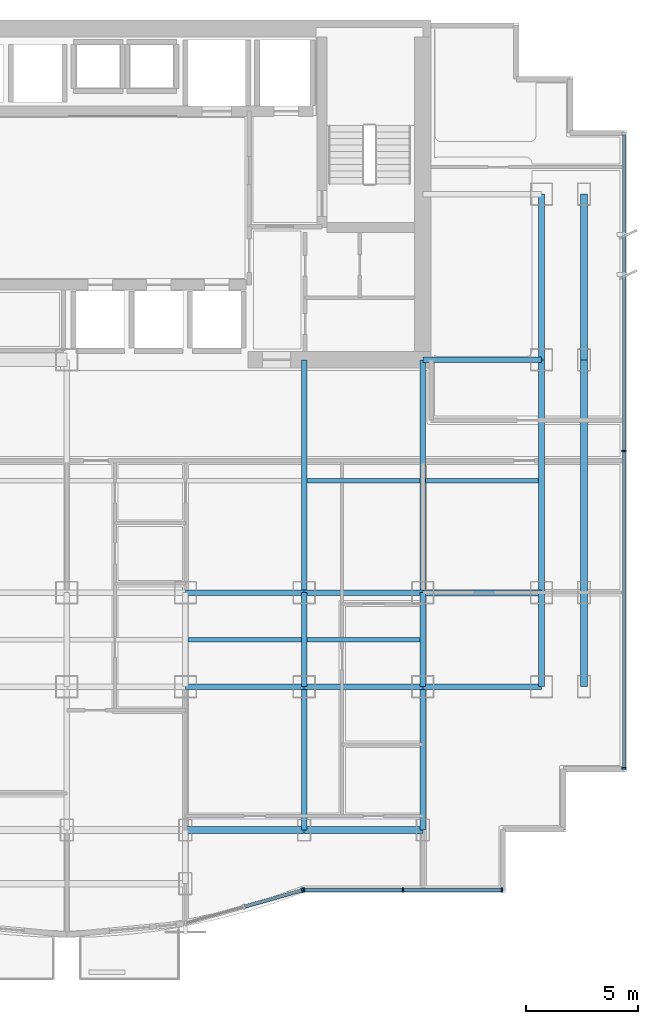
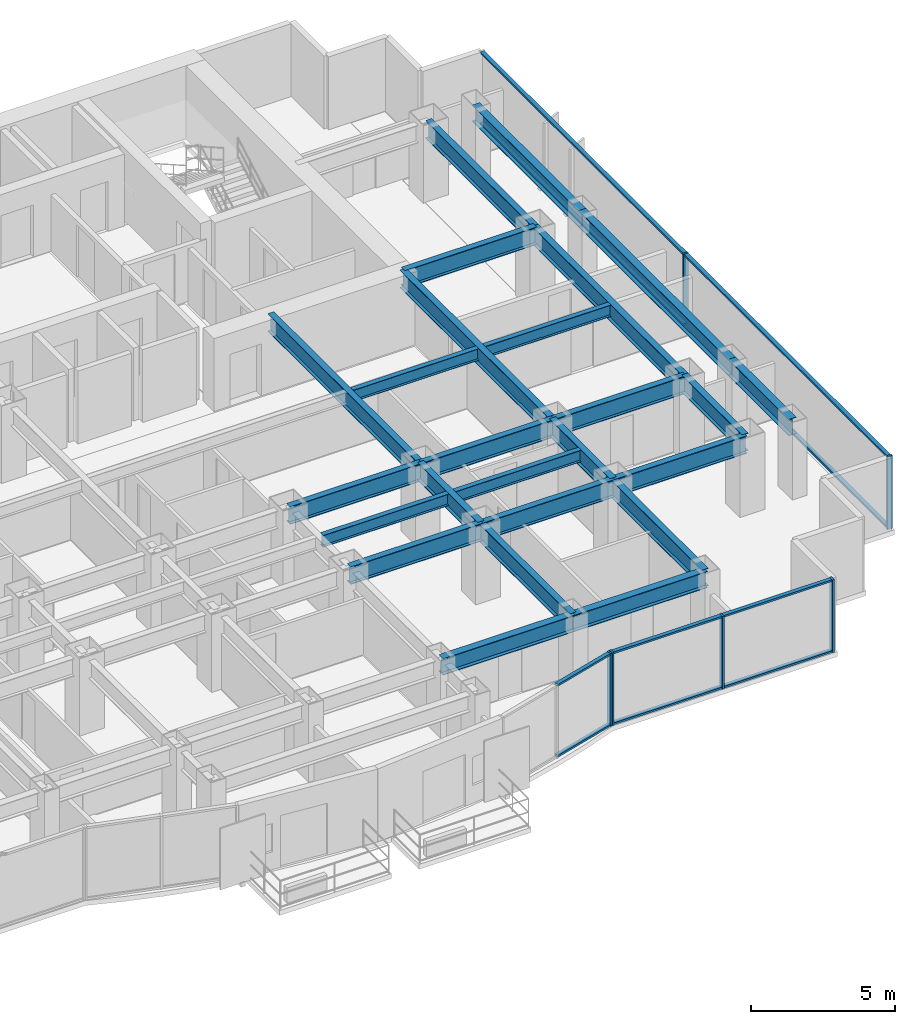
# One storey, part 3 of 12: 25 beams, 16 members, 3 elements without a shape of their own.
"""IFC4 building model written with IfcOpenShell, lengths in metres."""

import ifcopenshell
import ifcopenshell.guid

model = None  # the IFC model being written
_history = None  # IfcOwnerHistory: only IFC2X3 demands one
_inside = {}  # id of a spatial element -> (the spatial element, [elements in it])
_under = {}  # id of a project, library or spatial element -> (it, [spatial elements below it])
_declared = {}  # id of a project -> (the project, [libraries it declares])
_typed = {}  # id of a type object -> (the type object, [elements of that type])
_made_of = {}  # id of a material, layer set ... -> (it, [elements and type objects made of it])


def new_model(schema):
    """Start an empty IFC model of exactly this schema.

    Asked for "IFC4X3", IfcOpenShell would pick the latest addendum, in which some entities
    have other attributes; the version numbers below select the first issue.
    IFC2X3 requires an IfcOwnerHistory on every rooted entity: one is made here for all.
    """
    global model, _history
    if schema == "IFC4X3":
        model = ifcopenshell.file(schema_version=(4, 3, 0, 0))
    else:
        model = ifcopenshell.file(schema=schema)
    _inside.clear()
    _under.clear()
    _declared.clear()
    _typed.clear()
    _made_of.clear()
    _history = None
    if model.schema == "IFC2X3":
        org = make("IfcOrganization", Name="unknown")
        user = make(
            "IfcPersonAndOrganization",
            ThePerson=make("IfcPerson", FamilyName="unknown"),
            TheOrganization=org,
        )
        app = make(
            "IfcApplication",
            ApplicationDeveloper=org,
            Version="unknown",
            ApplicationFullName="unknown",
            ApplicationIdentifier="unknown",
        )
        _history = make(
            "IfcOwnerHistory",
            OwningUser=user,
            OwningApplication=app,
            ChangeAction="ADDED",
            CreationDate=0,
        )
    return model


def make(cls, **values):
    """One entity of the class cls with the attributes given. An attribute that is None is left unset."""
    return model.create_entity(
        cls, **{name: value for name, value in values.items() if value is not None}
    )


def rooted(cls, **values):
    """An entity with a GlobalId (a new one), such as an element, a storey or a relation."""
    return make(cls, GlobalId=ifcopenshell.guid.new(), OwnerHistory=_history, **values)


def si_unit(unit_type, name, prefix=None):
    """IfcSIUnit, for example si_unit("LENGTHUNIT", "METRE", prefix="MILLI")."""
    return make("IfcSIUnit", UnitType=unit_type, Prefix=prefix, Name=name)


def assignment(units):
    """IfcUnitAssignment: the units of a project."""
    return None if units is None else make("IfcUnitAssignment", Units=units)


def point(xyz):
    """IfcCartesianPoint."""
    return None if xyz is None else make("IfcCartesianPoint", Coordinates=xyz)


def direction(xyz):
    """IfcDirection."""
    return None if xyz is None else make("IfcDirection", DirectionRatios=xyz)


def frame(location, z_axis=None, x_axis=None):
    """IfcAxis2Placement3D, a coordinate frame: its origin and axes. An axis left out is left unset."""
    return make(
        "IfcAxis2Placement3D",
        Location=point(location),
        Axis=direction(z_axis),
        RefDirection=direction(x_axis),
    )


def frame_2d(location, x_axis=None):
    """IfcAxis2Placement2D, a coordinate frame in the plane: its origin and x axis."""
    return make(
        "IfcAxis2Placement2D", Location=point(location), RefDirection=direction(x_axis)
    )


def origin():
    """The frame at (0, 0, 0) with its axes left unset."""
    return frame((0.0, 0.0, 0.0))


def origin_2d():
    """The frame at (0, 0) in the plane with its x axis left unset."""
    return frame_2d((0.0, 0.0))


def place(relative_to, where):
    """IfcLocalPlacement: puts the frame where relative to a parent placement (None: the world)."""
    return make(
        "IfcLocalPlacement", PlacementRelTo=relative_to, RelativePlacement=where
    )


def context(
    kind, dimensions, precision=None, world=None, true_north=None, identifier=None
):
    """IfcGeometricRepresentationContext, for example the 3D "Model" context."""
    return make(
        "IfcGeometricRepresentationContext",
        ContextIdentifier=identifier,
        ContextType=kind,
        CoordinateSpaceDimension=dimensions,
        Precision=precision,
        WorldCoordinateSystem=world,
        TrueNorth=true_north,
    )


def subcontext(parent, identifier, kind, view, scale=None):
    """IfcGeometricRepresentationSubContext, for example "Body" below "Model"."""
    return make(
        "IfcGeometricRepresentationSubContext",
        ContextIdentifier=identifier,
        ContextType=kind,
        ParentContext=parent,
        TargetScale=scale,
        TargetView=view,
    )


def project(units=None, contexts=None):
    """IfcProject with its units and contexts."""
    return rooted(
        "IfcProject",
        Name="project",
        RepresentationContexts=contexts,
        UnitsInContext=assignment(units),
    )


def spatial(cls, under=None, at=None, **own):
    """A site, building, storey or space (cls), placed at a placement, below another one or the project."""
    s = rooted(cls, ObjectPlacement=at, **own)
    if under is not None:
        _under.setdefault(under.id(), (under, []))[1].append(s)
    return s


def profile(cls, at=None, kind="AREA", **sizes):
    """A parametric profile (cls). Its sizes go by their IFC names, for example OverallWidth=200.0."""
    return make(cls, ProfileType=kind, Position=at, **sizes)


def rectangle(**sizes):
    """IfcRectangleProfileDef."""
    return profile("IfcRectangleProfileDef", **sizes)


def i_section(**sizes):
    """IfcIShapeProfileDef."""
    return profile("IfcIShapeProfileDef", **sizes)


def extrude(swept, where, along, depth):
    """IfcExtrudedAreaSolid: the profile swept, set in the frame where, extruded along a direction by depth."""
    return make(
        "IfcExtrudedAreaSolid",
        SweptArea=swept,
        Position=where,
        ExtrudedDirection=direction(along),
        Depth=depth,
    )


def shape(context_of_items, identifier, shape_type, items):
    """IfcShapeRepresentation: the items that make up one representation, for example the "Body"."""
    return make(
        "IfcShapeRepresentation",
        ContextOfItems=context_of_items,
        RepresentationIdentifier=identifier,
        RepresentationType=shape_type,
        Items=items,
    )


def source(mapping_origin, context_of_items, identifier, shape_type, items):
    """IfcRepresentationMap: a shape defined once, which mapped items show again and again."""
    return make(
        "IfcRepresentationMap",
        MappingOrigin=mapping_origin,
        MappedRepresentation=shape(context_of_items, identifier, shape_type, items),
    )


def transform(
    local_origin,
    x_axis=None,
    y_axis=None,
    z_axis=None,
    scale=None,
    scale2=None,
    scale3=None,
    uniform=True,
):
    """IfcCartesianTransformationOperator3D, or its non-uniform kind. x_axis, y_axis, z_axis: its Axis1, 2, 3."""
    if uniform:
        return make(
            "IfcCartesianTransformationOperator3D",
            Axis1=direction(x_axis),
            Axis2=direction(y_axis),
            LocalOrigin=point(local_origin),
            Scale=scale,
            Axis3=direction(z_axis),
        )
    return make(
        "IfcCartesianTransformationOperator3DnonUniform",
        Axis1=direction(x_axis),
        Axis2=direction(y_axis),
        LocalOrigin=point(local_origin),
        Scale=scale,
        Axis3=direction(z_axis),
        Scale2=scale2,
        Scale3=scale3,
    )


def mapped(mapping_source, mapping_target):
    """IfcMappedItem: shows the shape of a source again, moved by a transform."""
    return make(
        "IfcMappedItem", MappingSource=mapping_source, MappingTarget=mapping_target
    )


def material(Name=None, Category=None):
    """IfcMaterial."""
    return make("IfcMaterial", Name=Name, Category=Category)


def layer(
    of_material, thickness, ventilated=None, Name=None, Category=None, Priority=None
):
    """IfcMaterialLayer: one layer of a wall or slab, of a material (None: an air gap)."""
    return make(
        "IfcMaterialLayer",
        Material=of_material,
        LayerThickness=thickness,
        IsVentilated=ventilated,
        Name=Name,
        Category=Category,
        Priority=Priority,
    )


def layer_set(layers, Name=None):
    """IfcMaterialLayerSet."""
    return make("IfcMaterialLayerSet", MaterialLayers=layers, LayerSetName=Name)


def material_profile(
    of_material, cross_section, Name=None, Category=None, Priority=None
):
    """IfcMaterialProfile: a cross section and its material."""
    return make(
        "IfcMaterialProfile",
        Name=Name,
        Material=of_material,
        Profile=cross_section,
        Priority=Priority,
        Category=Category,
    )


def profile_set(profiles, Name=None, composite=None):
    """IfcMaterialProfileSet."""
    return make(
        "IfcMaterialProfileSet",
        Name=Name,
        MaterialProfiles=profiles,
        CompositeProfile=composite,
    )


def made_of(thing, what):
    """Note that an element or type object is made of a material, layer set ...; save() writes the relation."""
    if what is not None:
        _made_of.setdefault(what.id(), (what, []))[1].append(thing)
    return thing


def type_object(cls, material=None, **own):
    """A type object (cls), such as IfcWallType, which elements share."""
    return made_of(rooted(cls, **own), material)


def element(
    cls,
    number,
    at=None,
    inside=None,
    cuts=None,
    type_object=None,
    material=None,
    context=None,
    identifier="Body",
    shape_type=None,
    held_by="IfcProductDefinitionShape",
    body=None,
    shapes=None,
    **own,
):
    """One element of the class cls, such as IfcWall. Its Tag is "e" and its number.

    at: its placement. inside: the storey or other place that contains it. cuts: it is an
    opening in that element (IfcRelVoidsElement). A single representation is given by context,
    identifier, shape_type and body (its items); several are given by shapes. held_by: the class
    of the entity that holds the representations. save() writes the other relations.
    """
    e = rooted(cls, Tag="e%d" % number, ObjectPlacement=at, **own)
    if body is not None:
        shapes = [shape(context, identifier, shape_type, body)]
    if shapes is not None:
        e.Representation = make(held_by, Representations=shapes)
    if inside is not None:
        _inside.setdefault(inside.id(), (inside, []))[1].append(e)
    if cuts is not None:
        rooted(
            "IfcRelVoidsElement", RelatingBuildingElement=cuts, RelatedOpeningElement=e
        )
    if type_object is not None:
        _typed.setdefault(type_object.id(), (type_object, []))[1].append(e)
    return made_of(e, material)


def aggregate(whole, parts):
    """IfcRelAggregates: a whole, such as a stair, and the parts it consists of."""
    return rooted("IfcRelAggregates", RelatingObject=whole, RelatedObjects=parts)


def save(model, path):
    """Write the relations noted so far, then the file.

    IfcRelAggregates (storeys below a building ...), IfcRelContainedInSpatialStructure (elements
    in a storey), IfcRelDefinesByType, IfcRelAssociatesMaterial and IfcRelDeclares: one each for
    every whole, place, type object, material and project.
    """
    for whole, parts in _under.values():
        aggregate(whole, parts)
    for where, things in _inside.values():
        rooted(
            "IfcRelContainedInSpatialStructure",
            RelatedElements=things,
            RelatingStructure=where,
        )
    for kind, things in _typed.values():
        rooted("IfcRelDefinesByType", RelatedObjects=things, RelatingType=kind)
    for what, things in _made_of.values():
        rooted("IfcRelAssociatesMaterial", RelatedObjects=things, RelatingMaterial=what)
    for by, libraries in _declared.values():
        rooted("IfcRelDeclares", RelatingContext=by, RelatedDefinitions=libraries)
    model.write(path)


model = new_model("IFC4")

# Units and contexts
model_context = context("Model", 3, precision=1e-05, world=origin(), true_north=direction((0.0, 1.0)))
body_context = subcontext(model_context, "Body", "Model", "MODEL_VIEW")
ifc_project = project(units=[si_unit("LENGTHUNIT", "METRE"), si_unit("AREAUNIT", "SQUARE_METRE"), si_unit("VOLUMEUNIT", "CUBIC_METRE"), si_unit("PLANEANGLEUNIT", "RADIAN"), si_unit("MASSUNIT", "GRAM", prefix="KILO")], contexts=[model_context])

# Site, building, storey
site_placement = place(None, origin())
site = spatial("IfcSite", under=ifc_project, at=site_placement, CompositionType="ELEMENT")
building_placement = place(site_placement, origin())
building = spatial("IfcBuilding", under=site, at=building_placement, Name="Qianlan Lanfeng Residences", CompositionType="ELEMENT")
storey_placement = place(building_placement, frame((0.0, 0.0, 85.0)))
storey = spatial("IfcBuildingStorey", under=building, at=storey_placement, Name="L22", CompositionType="ELEMENT", Elevation=85.0)

# Beams
ifc_material_1 = material(Name="Steel SN490B", Category="steel")
ifc_material_profile_1 = material_profile(ifc_material_1, i_section(OverallWidth=0.25, OverallDepth=0.75, WebThickness=0.013916015625, FlangeThickness=0.02490234375, at=origin_2d()), Name="H 750x250x14x25")
ifc_profile_set_1 = profile_set([ifc_material_profile_1], Name="Steel SN490B")
beam_type_1 = type_object("IfcBeamType", Name="G-850", PredefinedType="BEAM", material=ifc_profile_set_1)
beam_1_placement = place(storey_placement, frame((31.800048828125, 10.60009765625, 2.715087890625), z_axis=(1.0, 0.0, 0.0), x_axis=(0.0, 1.0, 0.0)))
element("IfcBeam", 1, at=beam_1_placement, inside=storey, type_object=beam_type_1, Name="Structural beam G-850", PredefinedType="BEAM", context=body_context, shape_type="SweptSolid", body=[
    extrude(i_section(OverallWidth=0.25, OverallDepth=0.75, WebThickness=0.013916015625, FlangeThickness=0.02490234375, at=origin_2d()), origin(), (0.0, 0.0, 1.0), 5.300048828125),
])
beam_2_placement = place(storey_placement, frame((37.10009765625, 10.60009765625, 2.715087890625), z_axis=(1.0, 0.0, 0.0), x_axis=(0.0, 1.0, 0.0)))
element("IfcBeam", 2, at=beam_2_placement, inside=storey, type_object=beam_type_1, Name="Structural beam G-850", PredefinedType="BEAM", context=body_context, shape_type="SweptSolid", body=[
    extrude(i_section(OverallWidth=0.25, OverallDepth=0.75, WebThickness=0.013916015625, FlangeThickness=0.02490234375, at=origin_2d()), origin(), (0.0, 0.0, 1.0), 5.2998046875),
])
for number, where, z_axis, x_axis, name in (
    (3, (42.39990234375, 10.60009765625, 2.715087890625), (1.0, 0.0, 0.0), (0.0, 1.0, 0.0), "Structural beam G-850"),
    (4, (31.800048828125, 14.800048828125, 2.715087890625), (1.0, 0.0, 0.0), (0.0, 1.0, 0.0), "Structural beam G-850"),
):
    element("IfcBeam", number, at=place(storey_placement, frame(where, z_axis=z_axis, x_axis=x_axis)), inside=storey, type_object=beam_type_1, Name=name, PredefinedType="BEAM", context=body_context, shape_type="SweptSolid", body=[
        extrude(i_section(OverallWidth=0.25, OverallDepth=0.75, WebThickness=0.013916015625, FlangeThickness=0.02490234375, at=origin_2d()), origin(), (0.0, 0.0, 1.0), 5.300048828125),
    ])
beam_3_placement = place(storey_placement, frame((37.10009765625, 14.800048828125, 2.715087890625), z_axis=(1.0, 0.0, 0.0), x_axis=(0.0, 1.0, 0.0)))
element("IfcBeam", 5, at=beam_3_placement, inside=storey, type_object=beam_type_1, Name="Structural beam G-850", PredefinedType="BEAM", context=body_context, shape_type="SweptSolid", body=[
    extrude(i_section(OverallWidth=0.25, OverallDepth=0.75, WebThickness=0.013916015625, FlangeThickness=0.02490234375, at=origin_2d()), origin(), (0.0, 0.0, 1.0), 5.2998046875),
])
for number, where, z_axis, x_axis, name in (
    (6, (42.39990234375, 14.800048828125, 2.715087890625), (1.0, 0.0, 0.0), (0.0, 1.0, 0.0), "Structural beam G-850"),
    (7, (42.39990234375, 25.199951171875, 2.715087890625), (1.0, 0.0, 0.0), (0.0, 1.0, 0.0), "Structural beam G-850"),
):
    element("IfcBeam", number, at=place(storey_placement, frame(where, z_axis=z_axis, x_axis=x_axis)), inside=storey, type_object=beam_type_1, Name=name, PredefinedType="BEAM", context=body_context, shape_type="SweptSolid", body=[
        extrude(i_section(OverallWidth=0.25, OverallDepth=0.75, WebThickness=0.013916015625, FlangeThickness=0.02490234375, at=origin_2d()), origin(), (0.0, 0.0, 1.0), 5.300048828125),
    ])
beam_4_placement = place(storey_placement, frame((37.10009765625, 4.199951171875, 2.715087890625), z_axis=(0.0, 1.0, 0.0), x_axis=(-1.0, 0.0, 0.0)))
element("IfcBeam", 8, at=beam_4_placement, inside=storey, type_object=beam_type_1, Name="Structural beam G-850", PredefinedType="BEAM", context=body_context, shape_type="SweptSolid", body=[
    extrude(i_section(OverallWidth=0.25, OverallDepth=0.75, WebThickness=0.013916015625, FlangeThickness=0.02490234375, at=origin_2d()), origin(), (0.0, 0.0, 1.0), 6.400146484375),
])
beam_5_placement = place(storey_placement, frame((37.10009765625, 10.60009765625, 2.715087890625), z_axis=(0.0, 1.0, 0.0), x_axis=(-1.0, 0.0, 0.0)))
element("IfcBeam", 9, at=beam_5_placement, inside=storey, type_object=beam_type_1, Name="Structural beam G-850", PredefinedType="BEAM", context=body_context, shape_type="SweptSolid", body=[
    extrude(i_section(OverallWidth=0.25, OverallDepth=0.75, WebThickness=0.013916015625, FlangeThickness=0.02490234375, at=origin_2d()), origin(), (0.0, 0.0, 1.0), 4.199951171875),
])
beam_6_placement = place(storey_placement, frame((37.10009765625, 14.800048828125, 2.715087890625), z_axis=(0.0, 1.0, 0.0), x_axis=(-1.0, 0.0, 0.0)))
element("IfcBeam", 10, at=beam_6_placement, inside=storey, type_object=beam_type_1, Name="Structural beam G-850", PredefinedType="BEAM", context=body_context, shape_type="SweptSolid", body=[
    extrude(i_section(OverallWidth=0.25, OverallDepth=0.75, WebThickness=0.013916015625, FlangeThickness=0.02490234375, at=origin_2d()), origin(), (0.0, 0.0, 1.0), 10.39990234375),
])
beam_7_placement = place(storey_placement, frame((42.39990234375, 4.199951171875, 2.715087890625), z_axis=(0.0, 1.0, 0.0), x_axis=(-1.0, 0.0, 0.0)))
element("IfcBeam", 11, at=beam_7_placement, inside=storey, type_object=beam_type_1, Name="Structural beam G-850", PredefinedType="BEAM", context=body_context, shape_type="SweptSolid", body=[
    extrude(i_section(OverallWidth=0.25, OverallDepth=0.75, WebThickness=0.013916015625, FlangeThickness=0.02490234375, at=origin_2d()), origin(), (0.0, 0.0, 1.0), 6.400146484375),
])
beam_8_placement = place(storey_placement, frame((42.39990234375, 10.60009765625, 2.715087890625), z_axis=(0.0, 1.0, 0.0), x_axis=(-1.0, 0.0, 0.0)))
element("IfcBeam", 12, at=beam_8_placement, inside=storey, type_object=beam_type_1, Name="Structural beam G-850", PredefinedType="BEAM", context=body_context, shape_type="SweptSolid", body=[
    extrude(i_section(OverallWidth=0.25, OverallDepth=0.75, WebThickness=0.013916015625, FlangeThickness=0.02490234375, at=origin_2d()), origin(), (0.0, 0.0, 1.0), 4.199951171875),
])
beam_9_placement = place(storey_placement, frame((42.39990234375, 14.800048828125, 2.715087890625), z_axis=(0.0, 1.0, 0.0), x_axis=(-1.0, 0.0, 0.0)))
element("IfcBeam", 13, at=beam_9_placement, inside=storey, type_object=beam_type_1, Name="Structural beam G-850", PredefinedType="BEAM", context=body_context, shape_type="SweptSolid", body=[
    extrude(i_section(OverallWidth=0.25, OverallDepth=0.75, WebThickness=0.013916015625, FlangeThickness=0.02490234375, at=origin_2d()), origin(), (0.0, 0.0, 1.0), 10.39990234375),
])
beam_10_placement = place(storey_placement, frame((47.699951171875, 10.60009765625, 2.715087890625), z_axis=(0.0, 1.0, 0.0), x_axis=(-1.0, 0.0, 0.0)))
element("IfcBeam", 14, at=beam_10_placement, inside=storey, type_object=beam_type_1, Name="Structural beam G-850", PredefinedType="BEAM", context=body_context, shape_type="SweptSolid", body=[
    extrude(i_section(OverallWidth=0.25, OverallDepth=0.75, WebThickness=0.013916015625, FlangeThickness=0.02490234375, at=origin_2d()), origin(), (0.0, 0.0, 1.0), 4.199951171875),
])
beam_11_placement = place(storey_placement, frame((47.699951171875, 14.800048828125, 2.715087890625), z_axis=(0.0, 1.0, 0.0), x_axis=(-1.0, 0.0, 0.0)))
element("IfcBeam", 15, at=beam_11_placement, inside=storey, type_object=beam_type_1, Name="Structural beam G-850", PredefinedType="BEAM", context=body_context, shape_type="SweptSolid", body=[
    extrude(i_section(OverallWidth=0.25, OverallDepth=0.75, WebThickness=0.013916015625, FlangeThickness=0.02490234375, at=origin_2d()), origin(), (0.0, 0.0, 1.0), 10.39990234375),
])
beam_12_placement = place(storey_placement, frame((47.699951171875, 25.199951171875, 2.715087890625), z_axis=(0.0, 1.0, 0.0), x_axis=(-1.0, 0.0, 0.0)))
element("IfcBeam", 16, at=beam_12_placement, inside=storey, type_object=beam_type_1, Name="Structural beam G-850", PredefinedType="BEAM", context=body_context, shape_type="SweptSolid", body=[
    extrude(i_section(OverallWidth=0.25, OverallDepth=0.75, WebThickness=0.013916015625, FlangeThickness=0.02490234375, at=origin_2d()), origin(), (0.0, 0.0, 1.0), 7.400146484375),
])
ifc_material_profile_2 = material_profile(ifc_material_1, i_section(OverallWidth=0.199951171875, OverallDepth=0.5, WebThickness=0.010009765625, FlangeThickness=0.01611328125, at=origin_2d()), Name="H 500x200x10x16")
ifc_profile_set_2 = profile_set([ifc_material_profile_2], Name="Steel SN490B")
beam_type_2 = type_object("IfcBeamType", Name="J-500", PredefinedType="JOIST", material=ifc_profile_set_2)
beam_13_placement = place(storey_placement, frame((31.925048828125, 12.699951171875, 2.840087890625), z_axis=(1.0, 0.0, 0.0), x_axis=(0.0, 1.0, 0.0)))
element("IfcBeam", 17, at=beam_13_placement, inside=storey, type_object=beam_type_2, Name="Structural beam J-500", PredefinedType="JOIST", context=body_context, shape_type="SweptSolid", body=[
    extrude(i_section(OverallWidth=0.199951171875, OverallDepth=0.5, WebThickness=0.010009765625, FlangeThickness=0.01611328125, at=origin_2d()), origin(), (0.0, 0.0, 1.0), 5.050048828125),
])
for number, where, z_axis, x_axis, name in (
    (18, (37.22509765625, 12.699951171875, 2.840087890625), (1.0, 0.0, 0.0), (0.0, 1.0, 0.0), "Structural beam J-500"),
    (19, (37.22509765625, 19.800048828125, 2.840087890625), (1.0, 0.0, 0.0), (0.0, 1.0, 0.0), "Structural beam J-500"),
):
    element("IfcBeam", number, at=place(storey_placement, frame(where, z_axis=z_axis, x_axis=x_axis)), inside=storey, type_object=beam_type_2, Name=name, PredefinedType="JOIST", context=body_context, shape_type="SweptSolid", body=[
        extrude(i_section(OverallWidth=0.199951171875, OverallDepth=0.5, WebThickness=0.010009765625, FlangeThickness=0.01611328125, at=origin_2d()), origin(), (0.0, 0.0, 1.0), 5.0498046875),
    ])
beam_14_placement = place(storey_placement, frame((42.52490234375, 19.800048828125, 2.840087890625), z_axis=(1.0, 0.0, 0.0), x_axis=(0.0, 1.0, 0.0)))
element("IfcBeam", 20, at=beam_14_placement, inside=storey, type_object=beam_type_2, Name="Structural beam J-500", PredefinedType="JOIST", context=body_context, shape_type="SweptSolid", body=[
    extrude(i_section(OverallWidth=0.199951171875, OverallDepth=0.5, WebThickness=0.010009765625, FlangeThickness=0.01611328125, at=origin_2d()), origin(), (0.0, 0.0, 1.0), 5.050048828125),
])
ifc_material_profile_3 = material_profile(ifc_material_1, i_section(OverallWidth=0.300048828125, OverallDepth=0.699951171875, WebThickness=0.012939453125, FlangeThickness=0.02392578125, at=origin_2d()), Name="H 700x300x13x24")
ifc_profile_set_3 = profile_set([ifc_material_profile_3], Name="Steel SN490B")
beam_type_3 = type_object("IfcBeamType", Name="SG-750", PredefinedType="SPANDREL", material=ifc_profile_set_3)
beam_15_placement = place(storey_placement, frame((31.800048828125, 4.199951171875, 2.739990234375), z_axis=(1.0, 0.0, 0.0), x_axis=(0.0, 1.0, 0.0)))
element("IfcBeam", 21, at=beam_15_placement, inside=storey, type_object=beam_type_3, Name="Structural beam SG-750", PredefinedType="SPANDREL", context=body_context, shape_type="SweptSolid", body=[
    extrude(i_section(OverallWidth=0.300048828125, OverallDepth=0.699951171875, WebThickness=0.012939453125, FlangeThickness=0.02392578125, at=origin_2d()), origin(), (0.0, 0.0, 1.0), 5.300048828125),
])
beam_16_placement = place(storey_placement, frame((37.10009765625, 4.199951171875, 2.739990234375), z_axis=(1.0, 0.0, 0.0), x_axis=(0.0, 1.0, 0.0)))
element("IfcBeam", 22, at=beam_16_placement, inside=storey, type_object=beam_type_3, Name="Structural beam SG-750", PredefinedType="SPANDREL", context=body_context, shape_type="SweptSolid", body=[
    extrude(i_section(OverallWidth=0.300048828125, OverallDepth=0.699951171875, WebThickness=0.012939453125, FlangeThickness=0.02392578125, at=origin_2d()), origin(), (0.0, 0.0, 1.0), 5.2998046875),
])
beam_17_placement = place(storey_placement, frame((49.60009765625, 10.60009765625, 2.739990234375), z_axis=(0.0, 1.0, 0.0), x_axis=(-1.0, 0.0, 0.0)))
element("IfcBeam", 23, at=beam_17_placement, inside=storey, type_object=beam_type_3, Name="Structural beam SG-750", PredefinedType="SPANDREL", context=body_context, shape_type="SweptSolid", body=[
    extrude(i_section(OverallWidth=0.300048828125, OverallDepth=0.699951171875, WebThickness=0.012939453125, FlangeThickness=0.02392578125, at=origin_2d()), origin(), (0.0, 0.0, 1.0), 4.199951171875),
])
beam_18_placement = place(storey_placement, frame((49.60009765625, 14.800048828125, 2.739990234375), z_axis=(0.0, 1.0, 0.0), x_axis=(-1.0, 0.0, 0.0)))
element("IfcBeam", 24, at=beam_18_placement, inside=storey, type_object=beam_type_3, Name="Structural beam SG-750", PredefinedType="SPANDREL", context=body_context, shape_type="SweptSolid", body=[
    extrude(i_section(OverallWidth=0.300048828125, OverallDepth=0.699951171875, WebThickness=0.012939453125, FlangeThickness=0.02392578125, at=origin_2d()), origin(), (0.0, 0.0, 1.0), 10.39990234375),
])
beam_19_placement = place(storey_placement, frame((49.60009765625, 25.199951171875, 2.739990234375), z_axis=(0.0, 1.0, 0.0), x_axis=(-1.0, 0.0, 0.0)))
element("IfcBeam", 25, at=beam_19_placement, inside=storey, type_object=beam_type_3, Name="Structural beam SG-750", PredefinedType="SPANDREL", context=body_context, shape_type="SweptSolid", body=[
    extrude(i_section(OverallWidth=0.300048828125, OverallDepth=0.699951171875, WebThickness=0.012939453125, FlangeThickness=0.02392578125, at=origin_2d()), origin(), (0.0, 0.0, 1.0), 7.400146484375),
])

# Curtain wall, members
ifc_material_2 = material(Name="Anodised Bronze Aluminium 6063-T6", Category="aluminium")
ifc_layer = layer(ifc_material_2, 0.219970703125)
ifc_layer_set = layer_set([ifc_layer], Name="Anodised Bronze Aluminium 6063-T6")
curtain_wall_type = type_object("IfcCurtainWallType", Name="CW-03", PredefinedType="NOTDEFINED", material=ifc_layer_set)
curtain_wall_1_placement = place(storey_placement, origin())
curtain_wall_1 = element("IfcCurtainWall", 26, at=curtain_wall_1_placement, inside=storey, type_object=curtain_wall_type, Name="L22 Unitised Curtain Wall CWR-L22-04 (CW-03)", PredefinedType="NOTDEFINED")
ifc_material_profile_4 = material_profile(ifc_material_2, rectangle(XDim=0.080078125, YDim=0.159912109375, at=origin_2d()), Name="ALU TRANSOM 80x160")
ifc_profile_set_4 = profile_set([ifc_material_profile_4], Name="Anodised Bronze Aluminium 6063-T6")
member_type_1 = type_object("IfcMemberType", Name="CWT-180", PredefinedType="USERDEFINED", material=ifc_profile_set_4)
shared_shape_1 = source(origin(), body_context, "Body", "SweptSolid", [
    extrude(rectangle(XDim=0.080078125, YDim=0.159912109375, at=origin_2d()), origin(), (0.0, 0.0, 1.0), 4.34033203125),
])
member_1_placement = place(storey_placement, frame((41.5595703125, 1.52001953125, 0.0400390625), z_axis=(1.0, 0.0, 0.0), x_axis=(0.0, 0.0, 1.0)))
member_1 = element("IfcMember", 27, at=member_1_placement, type_object=member_type_1, Name="CWR-L22-04 Transom 2-BOT", ObjectType="TRANSOM", PredefinedType="USERDEFINED", context=body_context, shape_type="MappedRepresentation", body=[
    mapped(shared_shape_1, transform((0.0, 0.0, 0.0), scale=1.0)),
])
member_2_placement = place(storey_placement, frame((41.5595703125, 1.52001953125, 3.050048828125), z_axis=(1.0, 0.0, 0.0), x_axis=(0.0, 0.0, 1.0)))
member_2 = element("IfcMember", 28, at=member_2_placement, type_object=member_type_1, Name="CWR-L22-04 Transom 2-TOP", ObjectType="TRANSOM", PredefinedType="USERDEFINED", context=body_context, shape_type="MappedRepresentation", body=[
    mapped(shared_shape_1, transform((0.0, 0.0, 0.0), scale=1.0)),
])
shared_shape_2 = source(origin(), body_context, "Body", "SweptSolid", [
    extrude(rectangle(XDim=0.080078125, YDim=0.159912109375, at=origin_2d()), origin(), (0.0, 0.0, 1.0), 4.340576171875),
])
member_3_placement = place(storey_placement, frame((37.138916015625, 1.52001953125, 0.0400390625), z_axis=(1.0, 0.0, 0.0), x_axis=(0.0, 0.0, 1.0)))
member_3 = element("IfcMember", 29, at=member_3_placement, type_object=member_type_1, Name="CWR-L22-04 Transom 1-BOT", ObjectType="TRANSOM", PredefinedType="USERDEFINED", context=body_context, shape_type="MappedRepresentation", body=[
    mapped(shared_shape_2, transform((0.0, 0.0, 0.0), scale=1.0)),
])
member_4_placement = place(storey_placement, frame((37.138916015625, 1.52001953125, 3.050048828125), z_axis=(1.0, 0.0, 0.0), x_axis=(0.0, 0.0, 1.0)))
member_4 = element("IfcMember", 30, at=member_4_placement, type_object=member_type_1, Name="CWR-L22-04 Transom 1-TOP", ObjectType="TRANSOM", PredefinedType="USERDEFINED", context=body_context, shape_type="MappedRepresentation", body=[
    mapped(shared_shape_2, transform((0.0, 0.0, 0.0), scale=1.0)),
])

curtain_wall_2_placement = place(storey_placement, origin())
curtain_wall_2 = element("IfcCurtainWall", 31, at=curtain_wall_2_placement, inside=storey, type_object=curtain_wall_type, Name="L22 Unitised Curtain Wall CWR-L22-03 (CW-03)", PredefinedType="NOTDEFINED")
shared_shape_3 = source(origin(), body_context, "Body", "SweptSolid", [
    extrude(rectangle(XDim=0.080078125, YDim=0.159912109375, at=origin_2d()), origin(), (0.0, 0.0, 1.0), 2.63037109375),
])
member_5_placement = place(storey_placement, frame((34.451904296875, 0.77978515625, 0.0400390625), z_axis=(0.961967513886, 0.273163874312, 0.0), x_axis=(0.0, 0.0, 1.0)))
member_5 = element("IfcMember", 32, at=member_5_placement, type_object=member_type_1, Name="CWR-L22-03 Transom 2-BOT", ObjectType="TRANSOM", PredefinedType="USERDEFINED", context=body_context, shape_type="MappedRepresentation", body=[
    mapped(shared_shape_3, transform((0.0, 0.0, 0.0), scale=1.0)),
])
member_6_placement = place(storey_placement, frame((34.451904296875, 0.77978515625, 3.050048828125), z_axis=(0.961967513886, 0.273163874312, 0.0), x_axis=(0.0, 0.0, 1.0)))
member_6 = element("IfcMember", 33, at=member_6_placement, type_object=member_type_1, Name="CWR-L22-03 Transom 2-TOP", ObjectType="TRANSOM", PredefinedType="USERDEFINED", context=body_context, shape_type="MappedRepresentation", body=[
    mapped(shared_shape_3, transform((0.0, 0.0, 0.0), scale=1.0)),
])
ifc_material_profile_5 = material_profile(ifc_material_2, rectangle(XDim=0.080078125, YDim=0.2099609375, at=origin_2d()), Name="ALU MULLION 80x210")
ifc_profile_set_5 = profile_set([ifc_material_profile_5], Name="Anodised Bronze Aluminium 6063-T6")
member_type_2 = type_object("IfcMemberType", Name="CWM-220", PredefinedType="MULLION", material=ifc_profile_set_5)
shared_shape_4 = source(origin(), body_context, "Body", "SweptSolid", [
    extrude(rectangle(XDim=0.080078125, YDim=0.2099609375, at=origin_2d()), origin(), (0.0, 0.0, 1.0), 3.090087890625),
])
member_7_placement = place(storey_placement, frame((37.0205078125, 1.509033203125, 0.0), z_axis=(0.0, 0.0, 1.0), x_axis=(0.961989074302, 0.273087936247, 0.0)))
member_7 = element("IfcMember", 34, at=member_7_placement, type_object=member_type_2, Name="CWR-L22-03 Mullion 3", PredefinedType="MULLION", context=body_context, shape_type="MappedRepresentation", body=[
    mapped(shared_shape_4, transform((0.0, 0.0, 0.0), scale=1.0)),
])
aggregate(curtain_wall_2, [member_7, member_5, member_6])

# Member
member_8_placement = place(storey_placement, frame((37.09912109375, 1.52001953125, 0.0), z_axis=(0.0, 0.0, 1.0), x_axis=(1.0, 0.0, 0.0)))
member_8 = element("IfcMember", 35, at=member_8_placement, type_object=member_type_2, Name="CWR-L22-04 Mullion 1", PredefinedType="MULLION", context=body_context, shape_type="MappedRepresentation", body=[
    mapped(shared_shape_4, transform((0.0, 0.0, 0.0), scale=1.0)),
])

member_9_placement = place(storey_placement, frame((41.51953125, 1.52001953125, 0.0), z_axis=(0.0, 0.0, 1.0), x_axis=(1.0, 0.0, 0.0)))
member_9 = element("IfcMember", 36, at=member_9_placement, type_object=member_type_2, Name="CWR-L22-04 Mullion 2", PredefinedType="MULLION", context=body_context, shape_type="MappedRepresentation", body=[
    mapped(shared_shape_4, transform((0.0, 0.0, 0.0), scale=1.0)),
])

member_10_placement = place(storey_placement, frame((45.93994140625, 1.52001953125, 0.0), z_axis=(0.0, 0.0, 1.0), x_axis=(1.0, 0.0, 0.0)))
member_10 = element("IfcMember", 37, at=member_10_placement, type_object=member_type_2, Name="CWR-L22-04 Mullion 3", PredefinedType="MULLION", context=body_context, shape_type="MappedRepresentation", body=[
    mapped(shared_shape_4, transform((0.0, 0.0, 0.0), scale=1.0)),
])

aggregate(curtain_wall_1, [member_8, member_9, member_10, member_3, member_4, member_1, member_2])

# Curtain wall, members
curtain_wall_3_placement = place(storey_placement, origin())
curtain_wall_3 = element("IfcCurtainWall", 38, at=curtain_wall_3_placement, inside=storey, type_object=curtain_wall_type, Name="L22 Unitised Curtain Wall CWR-L22-05 (CW-03)", PredefinedType="NOTDEFINED")
member_11_placement = place(storey_placement, frame((51.3798828125, 6.9599609375, 0.0), z_axis=(0.0, 0.0, 1.0), x_axis=(0.0, 1.0, 0.0)))
member_11 = element("IfcMember", 39, at=member_11_placement, type_object=member_type_2, Name="CWR-L22-05 Mullion 1", PredefinedType="MULLION", context=body_context, shape_type="MappedRepresentation", body=[
    mapped(shared_shape_4, transform((0.0, 0.0, 0.0), scale=1.0)),
])
member_12_placement = place(storey_placement, frame((51.3798828125, 21.125, 0.0), z_axis=(0.0, 0.0, 1.0), x_axis=(0.0, 1.0, 0.0)))
member_12 = element("IfcMember", 40, at=member_12_placement, type_object=member_type_2, Name="CWR-L22-05 Mullion 2", PredefinedType="MULLION", context=body_context, shape_type="MappedRepresentation", body=[
    mapped(shared_shape_4, transform((0.0, 0.0, 0.0), scale=1.0)),
])
shared_shape_5 = source(origin(), body_context, "Body", "SweptSolid", [
    extrude(rectangle(XDim=0.080078125, YDim=0.159912109375, at=origin_2d()), origin(), (0.0, 0.0, 1.0), 14.0849609375),
])
member_13_placement = place(storey_placement, frame((51.3798828125, 7.0, 0.0400390625), z_axis=(0.0, 1.0, 0.0), x_axis=(0.0, 0.0, 1.0)))
member_13 = element("IfcMember", 41, at=member_13_placement, type_object=member_type_1, Name="CWR-L22-05 Transom 1-BOT", ObjectType="TRANSOM", PredefinedType="USERDEFINED", context=body_context, shape_type="MappedRepresentation", body=[
    mapped(shared_shape_5, transform((0.0, 0.0, 0.0), scale=1.0)),
])
member_14_placement = place(storey_placement, frame((51.3798828125, 7.0, 3.050048828125), z_axis=(0.0, 1.0, 0.0), x_axis=(0.0, 0.0, 1.0)))
member_14 = element("IfcMember", 42, at=member_14_placement, type_object=member_type_1, Name="CWR-L22-05 Transom 1-TOP", ObjectType="TRANSOM", PredefinedType="USERDEFINED", context=body_context, shape_type="MappedRepresentation", body=[
    mapped(shared_shape_5, transform((0.0, 0.0, 0.0), scale=1.0)),
])
member_15_placement = place(storey_placement, frame((51.3798828125, 21.1650390625, 0.0400390625), z_axis=(0.0, 1.0, 0.0), x_axis=(0.0, 0.0, 1.0)))
member_15 = element("IfcMember", 43, at=member_15_placement, type_object=member_type_1, Name="CWR-L22-05 Transom 2-BOT", ObjectType="TRANSOM", PredefinedType="USERDEFINED", context=body_context, shape_type="MappedRepresentation", body=[
    mapped(shared_shape_5, transform((0.0, 0.0, 0.0), scale=1.0)),
])
member_16_placement = place(storey_placement, frame((51.3798828125, 21.1650390625, 3.050048828125), z_axis=(0.0, 1.0, 0.0), x_axis=(0.0, 0.0, 1.0)))
member_16 = element("IfcMember", 44, at=member_16_placement, type_object=member_type_1, Name="CWR-L22-05 Transom 2-TOP", ObjectType="TRANSOM", PredefinedType="USERDEFINED", context=body_context, shape_type="MappedRepresentation", body=[
    mapped(shared_shape_5, transform((0.0, 0.0, 0.0), scale=1.0)),
])
aggregate(curtain_wall_3, [member_11, member_12, member_13, member_14, member_15, member_16])

save(model, "model.ifc")
